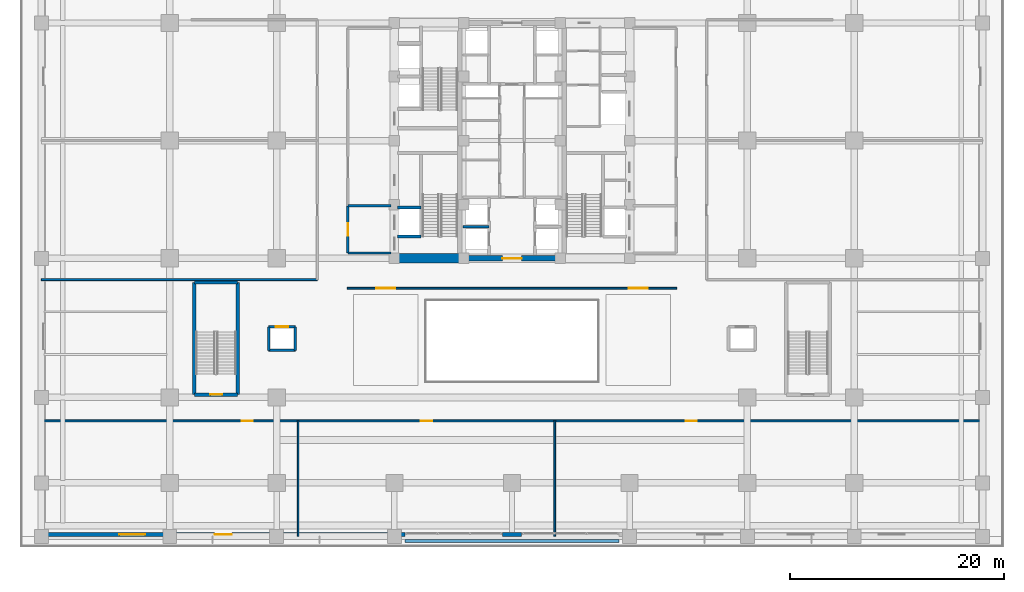
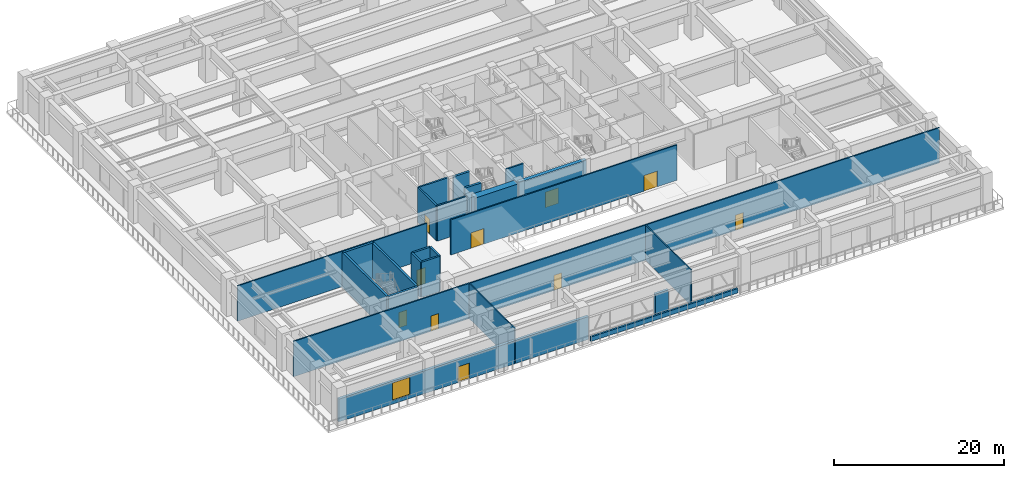
# One storey, part 15 of 28: 24 walls, 10 doors, 1 window, 11 openings.
"""IFC4 building model written with IfcOpenShell, lengths in metres."""

from ifc_helpers import new_model, si_unit, direction, frame, frame_2d, origin, place, context, subcontext, project, spatial, rectangle, extrude, source, transform, mapped, material, layer, layer_set, type_object, element, fill, save


model = new_model("IFC4")

# Units and contexts
model_context = context("Model", 3, precision=1e-05, world=origin(), true_north=direction((0.0, 1.0)))
body_context = subcontext(model_context, "Body", "Model", "MODEL_VIEW")
ifc_project = project(units=[si_unit("LENGTHUNIT", "METRE"), si_unit("AREAUNIT", "SQUARE_METRE"), si_unit("VOLUMEUNIT", "CUBIC_METRE"), si_unit("PLANEANGLEUNIT", "RADIAN"), si_unit("MASSUNIT", "GRAM", prefix="KILO")], contexts=[model_context])

# Site, building, storey
site_placement = place(None, origin())
site = spatial("IfcSite", under=ifc_project, at=site_placement, CompositionType="ELEMENT")
building_placement = place(site_placement, origin())
building = spatial("IfcBuilding", under=site, at=building_placement, Name="Khorayat Bourse Tower", CompositionType="ELEMENT")
storey_placement = place(building_placement, frame((0.0, 0.0, 6.60009765625)))
storey = spatial("IfcBuildingStorey", under=building, at=storey_placement, Name="L01", CompositionType="ELEMENT", Elevation=6.60009765625)

# Wall
ifc_material_1 = material(Name="Concrete C72/90", Category="concrete")
ifc_layer_1 = layer(ifc_material_1, 0.89990234375)
ifc_layer_set_1 = layer_set([ifc_layer_1], Name="Concrete C72/90")
wall_type_1 = type_object("IfcWallType", Name="WAL-CORE-900", PredefinedType="SHEAR", material=ifc_layer_set_1)
shared_shape_1 = source(origin(), body_context, "Body", "SweptSolid", [
    extrude(rectangle(XDim=5.849853515625, YDim=0.89990234375, at=frame_2d((2.9248046875, 0.0))), origin(), (0.0, 0.0, 1.0), 5.079833984375),
])
wall_1_placement = place(storey_placement, frame((-10.699951171875, -11.0, 0.0), z_axis=(0.0, 0.0, 1.0), x_axis=(1.0, 0.0, 0.0)))
element("IfcWall", 1, at=wall_1_placement, inside=storey, type_object=wall_type_1, Name="L01 Core Shear Wall PIER-WS", PredefinedType="SHEAR", context=body_context, shape_type="MappedRepresentation", body=[
    mapped(shared_shape_1, transform((0.0, 0.0, 0.0), scale=1.0)),
])

# Wall, opening, door
ifc_material_2 = material(Name="Concrete C52/65", Category="concrete")
ifc_layer_2 = layer(ifc_material_2, 0.5)
ifc_layer_set_2 = layer_set([ifc_layer_2], Name="Concrete C52/65")
wall_type_2 = type_object("IfcWallType", Name="WAL-CORE-500", PredefinedType="SHEAR", material=ifc_layer_set_2)
shared_shape_2 = source(origin(), body_context, "Body", "SweptSolid", [
    extrude(rectangle(XDim=9.2001953125, YDim=0.5, at=frame_2d((4.60009765625, 0.0))), origin(), (0.0, 0.0, 1.0), 5.079833984375),
])
wall_2_placement = place(storey_placement, frame((-4.60009765625, -11.0, 0.0), z_axis=(0.0, 0.0, 1.0), x_axis=(1.0, 0.0, 0.0)))
wall_2 = element("IfcWall", 2, at=wall_2_placement, inside=storey, type_object=wall_type_2, Name="L01 Core Shear Wall CORE-S", PredefinedType="SHEAR", context=body_context, shape_type="MappedRepresentation", body=[
    mapped(shared_shape_2, transform((0.0, 0.0, 0.0), scale=1.0)),
])
shared_shape_3 = source(origin(), body_context, "Body", "SweptSolid", [
    extrude(rectangle(XDim=1.800048828125, YDim=2.25, at=frame_2d((0.89990234375, 1.125))), frame((0.0, 0.260009765625, 0.0), z_axis=(0.0, -1.0, 0.0), x_axis=(1.0, 0.0, 0.0)), (0.0, 0.0, 1.0), 0.52001953125),
])
opening_1_placement = place(wall_2_placement, frame((3.699951171875, 0.0, 0.0)))
opening_1 = element("IfcOpeningElement", 3, at=opening_1_placement, cuts=wall_2, Name="Opening DI-03", PredefinedType="OPENING", context=body_context, shape_type="MappedRepresentation", body=[
    mapped(shared_shape_3, transform((0.0, 0.0, 0.0), scale=1.0)),
])
ifc_material_3 = material(Name="Fire-rated hardwood vision-panel double leaf", Category="wood")
door_type_1 = type_object("IfcDoorType", Name="DR-INT-CORR-1800", OperationType="NOTDEFINED", PredefinedType="DOOR", material=ifc_material_3)
shared_shape_4 = source(origin(), body_context, "Body", "SweptSolid", [
    extrude(rectangle(XDim=1.800048828125, YDim=2.25, at=frame_2d((0.89990234375, 1.125))), frame((0.0, 0.02490234375, 0.0), z_axis=(0.0, -1.0, 0.0), x_axis=(1.0, 0.0, 0.0)), (0.0, 0.0, 1.0), 0.050048828125),
])
door_1_placement = place(opening_1_placement, origin())
door_1 = element("IfcDoor", 4, at=door_1_placement, inside=storey, type_object=door_type_1, Name="L01 Low-Rise Lift Lobby Door", OperationType="SINGLE_SWING_LEFT", OverallHeight=2.25, OverallWidth=1.800048828125, PredefinedType="DOOR", context=body_context, shape_type="MappedRepresentation", body=[
    mapped(shared_shape_4, transform((0.0, 0.0, 0.0), scale=1.0)),
])
fill(opening_1, door_1)

# Wall, openings, door, window
ifc_material_4 = material(Name="Precast concrete C45/55", Category="concrete")
ifc_layer_3 = layer(ifc_material_4, 0.3798828125)
ifc_layer_set_3 = layer_set([ifc_layer_3], Name="Precast concrete C45/55")
wall_type_3 = type_object("IfcWallType", Name="WAL-EXT-STONE-380", PredefinedType="STANDARD", material=ifc_layer_set_3)
shared_shape_5 = source(origin(), body_context, "Body", "SweptSolid", [
    extrude(rectangle(XDim=34.0, YDim=0.3798828125, at=frame_2d((17.0, 0.0))), origin(), (0.0, 0.0, 1.0), 3.27978515625),
])
wall_3_placement = place(storey_placement, frame((-44.0, -36.81005859375, 0.0), z_axis=(0.0, 0.0, 1.0), x_axis=(1.0, 0.0, 0.0)))
wall_3 = element("IfcWall", 5, at=wall_3_placement, inside=storey, type_object=wall_type_3, Name="L01 Exterior Limestone Wall WAL-L01-EXT-SW", PredefinedType="STANDARD", context=body_context, shape_type="MappedRepresentation", body=[
    mapped(shared_shape_5, transform((0.0, 0.0, 0.0), scale=1.0)),
])
shared_shape_6 = source(origin(), body_context, "Body", "SweptSolid", [
    extrude(rectangle(XDim=1.60009765625, YDim=2.25, at=frame_2d((0.800048828125, 1.125))), frame((0.0, 0.199951171875, 0.0), z_axis=(0.0, -1.0, 0.0), x_axis=(1.0, 0.0, 0.0)), (0.0, 0.0, 1.0), 0.39990234375),
])
opening_2_placement = place(wall_3_placement, frame((16.199951171875, 0.0, 0.0)))
opening_2 = element("IfcOpeningElement", 6, at=opening_2_placement, cuts=wall_3, Name="Opening DE-04", PredefinedType="OPENING", context=body_context, shape_type="MappedRepresentation", body=[
    mapped(shared_shape_6, transform((0.0, 0.0, 0.0), scale=1.0)),
])
shared_shape_7 = source(origin(), body_context, "Body", "SweptSolid", [
    extrude(rectangle(XDim=2.39990234375, YDim=2.56005859375, at=frame_2d((1.199951171875, 1.280029296875))), frame((0.0, 0.199951171875, 0.0), z_axis=(0.0, -1.0, 0.0), x_axis=(1.0, 0.0, 0.0)), (0.0, 0.0, 1.0), 0.39990234375),
])
opening_3_placement = place(wall_3_placement, frame((7.300048828125, 0.0, 0.5)))
opening_3 = element("IfcOpeningElement", 7, at=opening_3_placement, cuts=wall_3, Name="Opening WN-01", PredefinedType="OPENING", context=body_context, shape_type="MappedRepresentation", body=[
    mapped(shared_shape_7, transform((0.0, 0.0, 0.0), scale=1.0)),
])
ifc_material_5 = material(Name="Thermally broken aluminium terrace double door", Category="aluminium")
door_type_2 = type_object("IfcDoorType", Name="DR-EXT-TERR-1600", OperationType="NOTDEFINED", PredefinedType="DOOR", material=ifc_material_5)
shared_shape_8 = source(origin(), body_context, "Body", "SweptSolid", [
    extrude(rectangle(XDim=1.60009765625, YDim=2.25, at=frame_2d((0.800048828125, 1.125))), frame((0.0, 0.02490234375, 0.0), z_axis=(0.0, -1.0, 0.0), x_axis=(1.0, 0.0, 0.0)), (0.0, 0.0, 1.0), 0.050048828125),
])
door_2_placement = place(opening_2_placement, origin())
door_2 = element("IfcDoor", 8, at=door_2_placement, inside=storey, type_object=door_type_2, Name="L01 South Garden Terrace Door", OperationType="DOUBLE_DOOR_SINGLE_SWING", OverallHeight=2.25, OverallWidth=1.60009765625, PredefinedType="DOOR", context=body_context, shape_type="MappedRepresentation", body=[
    mapped(shared_shape_8, transform((0.0, 0.0, 0.0), scale=1.0)),
])
fill(opening_2, door_2)
ifc_material_6 = material(Name="Low-E solar-control laminated double glazing", Category="glass")
window_type = type_object("IfcWindowType", Name="WIN-POD-2400x2600", PartitioningType="SINGLE_PANEL", PredefinedType="WINDOW", material=ifc_material_6)
shared_shape_9 = source(origin(), body_context, "Body", "SweptSolid", [
    extrude(rectangle(XDim=2.39990234375, YDim=2.56005859375, at=frame_2d((1.199951171875, 1.280029296875))), frame((0.0, 0.030029296875, 0.0), z_axis=(0.0, -1.0, 0.0), x_axis=(1.0, 0.0, 0.0)), (0.0, 0.0, 1.0), 0.06005859375),
])
window_placement = place(opening_3_placement, origin())
window = element("IfcWindow", 9, at=window_placement, inside=storey, type_object=window_type, Name="L01 Facade Window 1", OverallHeight=2.56005859375, OverallWidth=2.39990234375, PartitioningType="SINGLE_PANEL", PredefinedType="WINDOW", context=body_context, shape_type="MappedRepresentation", body=[
    mapped(shared_shape_9, transform((0.0, 0.0, 0.0), scale=1.0)),
])
fill(opening_3, window)

# Walls
shared_shape_10 = source(origin(), body_context, "Body", "SweptSolid", [
    extrude(rectangle(XDim=1.7998046875, YDim=0.3798828125, at=frame_2d((0.89990234375, 0.0))), origin(), (0.0, 0.0, 1.0), 3.27978515625),
])
wall_4_placement = place(storey_placement, frame((-0.89990234375, -36.81005859375, 0.0), z_axis=(0.0, 0.0, 1.0), x_axis=(1.0, 0.0, 0.0)))
element("IfcWall", 10, at=wall_4_placement, inside=storey, type_object=wall_type_3, Name="L01 Exterior Limestone Wall WAL-L01-EXT-SM", PredefinedType="STANDARD", context=body_context, shape_type="MappedRepresentation", body=[
    mapped(shared_shape_10, transform((0.0, 0.0, 0.0), scale=1.0)),
])
ifc_layer_4 = layer(ifc_material_4, 0.239990234375)
ifc_layer_set_4 = layer_set([ifc_layer_4], Name="Precast concrete C45/55")
wall_type_4 = type_object("IfcWallType", Name="WAL-PLANTER-240", PredefinedType="STANDARD", material=ifc_layer_set_4)
shared_shape_11 = source(origin(), body_context, "Body", "SweptSolid", [
    extrude(rectangle(XDim=20.0, YDim=0.239990234375, at=frame_2d((10.0, 0.0))), origin(), (0.0, 0.0, 1.0), 0.64990234375),
])
wall_5_placement = place(storey_placement, frame((-10.0, -37.429931640625, 0.0), z_axis=(0.0, 0.0, 1.0), x_axis=(1.0, 0.0, 0.0)))
element("IfcWall", 11, at=wall_5_placement, inside=storey, type_object=wall_type_4, Name="L01 Planted Terrace Upstand PLN-S", PredefinedType="STANDARD", context=body_context, shape_type="MappedRepresentation", body=[
    mapped(shared_shape_11, transform((0.0, 0.0, 0.0), scale=1.0)),
])
ifc_material_7 = material(Name="Concrete C50/60", Category="concrete")
ifc_layer_5 = layer(ifc_material_7, 0.300048828125)
ifc_layer_set_5 = layer_set([ifc_layer_5], Name="Concrete C50/60")
wall_type_5 = type_object("IfcWallType", Name="WAL-SHAFT-300", PredefinedType="SHEAR", material=ifc_layer_set_5)
shared_shape_12 = source(origin(), body_context, "Body", "SweptSolid", [
    extrude(rectangle(XDim=2.199951171875, YDim=0.300048828125, at=frame_2d((1.10009765625, 0.0))), origin(), (0.0, 0.0, 1.0), 5.079833984375),
])
for number, where, z_axis, x_axis, name in (
    (12, (-10.699951171875, -8.949951171875, 0.0), (0.0, 0.0, 1.0), (1.0, 0.0, 0.0), "L01 Partition WAL-L01-WPIER-FF1S"),
    (13, (-10.699951171875, -6.25, 0.0), (0.0, 0.0, 1.0), (1.0, 0.0, 0.0), "L01 Partition WAL-L01-WPIER-FF1N"),
):
    element("IfcWall", number, at=place(storey_placement, frame(where, z_axis=z_axis, x_axis=x_axis)), inside=storey, type_object=wall_type_5, Name=name, PredefinedType="SHEAR", context=body_context, shape_type="MappedRepresentation", body=[
        mapped(shared_shape_12, transform((0.0, 0.0, 0.0), scale=1.0)),
    ])
ifc_material_8 = material(Name="Aerated concrete blockwork", Category="masonry")
ifc_layer_6 = layer(ifc_material_8, 0.219970703125)
ifc_layer_set_6 = layer_set([ifc_layer_6], Name="Aerated concrete blockwork")
wall_type_6 = type_object("IfcWallType", Name="WAL-PART-FF-220", PredefinedType="PARTITIONING", material=ifc_layer_set_6)
shared_shape_13 = source(origin(), body_context, "Body", "SweptSolid", [
    extrude(rectangle(XDim=4.050048828125, YDim=0.219970703125, at=frame_2d((2.02490234375, 0.0))), origin(), (0.0, 0.0, 1.0), 5.079833984375),
])
for number, where, z_axis, x_axis, name in (
    (14, (-15.35009765625, -10.5, 0.0), (0.0, 0.0, 1.0), (1.0, 0.0, 0.0), "L01 Partition WAL-L01-FFLW-S"),
    (15, (-15.35009765625, -6.10009765625, 0.0), (0.0, 0.0, 1.0), (1.0, 0.0, 0.0), "L01 Partition WAL-L01-FFLW-N"),
):
    element("IfcWall", number, at=place(storey_placement, frame(where, z_axis=z_axis, x_axis=x_axis)), inside=storey, type_object=wall_type_6, Name=name, PredefinedType="PARTITIONING", context=body_context, shape_type="MappedRepresentation", body=[
        mapped(shared_shape_13, transform((0.0, 0.0, 0.0), scale=1.0)),
    ])

# Wall, opening, door
shared_shape_14 = source(origin(), body_context, "Body", "SweptSolid", [
    extrude(rectangle(XDim=4.39990234375, YDim=0.219970703125, at=frame_2d((2.199951171875, 0.0))), origin(), (0.0, 0.0, 1.0), 5.079833984375),
])
wall_6_placement = place(storey_placement, frame((-15.35009765625, -10.5, 0.0), z_axis=(0.0, 0.0, 1.0), x_axis=(0.0, 1.0, 0.0)))
wall_6 = element("IfcWall", 16, at=wall_6_placement, inside=storey, type_object=wall_type_6, Name="L01 Partition WAL-L01-FFLW-W", PredefinedType="PARTITIONING", context=body_context, shape_type="MappedRepresentation", body=[
    mapped(shared_shape_14, transform((0.0, 0.0, 0.0), scale=1.0)),
])
shared_shape_15 = source(origin(), body_context, "Body", "SweptSolid", [
    extrude(rectangle(XDim=1.199951171875, YDim=2.199951171875, at=frame_2d((0.60009765625, 1.10009765625))), frame((0.0, 0.119873046875, 0.0), z_axis=(0.0, -1.0, 0.0), x_axis=(1.0, 0.0, 0.0)), (0.0, 0.0, 1.0), 0.239990234375),
])
opening_4_placement = place(wall_6_placement, frame((1.60009765625, 0.0, 0.0)))
opening_4 = element("IfcOpeningElement", 17, at=opening_4_placement, cuts=wall_6, Name="Opening DI-02", PredefinedType="OPENING", context=body_context, shape_type="MappedRepresentation", body=[
    mapped(shared_shape_15, transform((0.0, 0.0, 0.0), scale=1.0)),
])
ifc_material_9 = material(Name="Fire-rated steel double-seal leaf", Category="steel")
door_type_3 = type_object("IfcDoorType", Name="DR-INT-FFLOBBY-1200", OperationType="NOTDEFINED", PredefinedType="DOOR", material=ifc_material_9)
shared_shape_16 = source(origin(), body_context, "Body", "SweptSolid", [
    extrude(rectangle(XDim=1.199951171875, YDim=2.199951171875, at=frame_2d((0.60009765625, 1.10009765625))), frame((0.0, 0.02490234375, 0.0), z_axis=(0.0, -1.0, 0.0), x_axis=(1.0, 0.0, 0.0)), (0.0, 0.0, 1.0), 0.050048828125),
])
door_3_placement = place(opening_4_placement, origin())
door_3 = element("IfcDoor", 18, at=door_3_placement, inside=storey, type_object=door_type_3, Name="L01 West Firefighting Lobby Door", OperationType="SINGLE_SWING_LEFT", OverallHeight=2.199951171875, OverallWidth=1.199951171875, PredefinedType="DOOR", context=body_context, shape_type="MappedRepresentation", body=[
    mapped(shared_shape_16, transform((0.0, 0.0, 0.0), scale=1.0)),
])
fill(opening_4, door_3)

# Wall
shared_shape_17 = source(origin(), body_context, "Body", "SweptSolid", [
    extrude(rectangle(XDim=2.4501953125, YDim=0.199951171875, at=frame_2d((1.22509765625, 0.0))), origin(), (0.0, 0.0, 1.0), 5.079833984375),
])
wall_7_placement = place(storey_placement, frame((-4.60009765625, -8.050048828125, 0.0), z_axis=(0.0, 0.0, 1.0), x_axis=(1.0, 0.0, 0.0)))
element("IfcWall", 19, at=wall_7_placement, inside=storey, type_object=wall_type_5, Name="L01 Partition WAL-L01-B1-MW", PredefinedType="SHEAR", context=body_context, shape_type="MappedRepresentation", body=[
    mapped(shared_shape_17, transform((0.0, 0.0, 0.0), scale=1.0)),
])

# Wall, opening, door
shared_shape_18 = source(origin(), body_context, "Body", "SweptSolid", [
    extrude(rectangle(XDim=4.050048828125, YDim=0.300048828125, at=frame_2d((2.02490234375, 0.0))), origin(), (0.0, 0.0, 1.0), 5.079833984375),
])
wall_8_placement = place(storey_placement, frame((-29.699951171875, -23.75, 0.0), z_axis=(0.0, 0.0, 1.0), x_axis=(1.0, 0.0, 0.0)))
wall_8 = element("IfcWall", 20, at=wall_8_placement, inside=storey, type_object=wall_type_5, Name="L01 Partition WAL-L01-STP1-S", PredefinedType="SHEAR", context=body_context, shape_type="MappedRepresentation", body=[
    mapped(shared_shape_18, transform((0.0, 0.0, 0.0), scale=1.0)),
])
shared_shape_19 = source(origin(), body_context, "Body", "SweptSolid", [
    extrude(rectangle(XDim=1.10009765625, YDim=2.199951171875, at=frame_2d((0.550048828125, 1.10009765625))), frame((0.0, 0.159912109375, 0.0), z_axis=(0.0, -1.0, 0.0), x_axis=(1.0, 0.0, 0.0)), (0.0, 0.0, 1.0), 0.320068359375),
])
opening_5_placement = place(wall_8_placement, frame((1.5, 0.0, 0.0)))
opening_5 = element("IfcOpeningElement", 21, at=opening_5_placement, cuts=wall_8, Name="Opening DI-01", PredefinedType="OPENING", context=body_context, shape_type="MappedRepresentation", body=[
    mapped(shared_shape_19, transform((0.0, 0.0, 0.0), scale=1.0)),
])
ifc_material_10 = material(Name="Fire-rated steel acoustic leaf", Category="steel")
door_type_4 = type_object("IfcDoorType", Name="DR-INT-STAIR-1100", OperationType="NOTDEFINED", PredefinedType="DOOR", material=ifc_material_10)
shared_shape_20 = source(origin(), body_context, "Body", "SweptSolid", [
    extrude(rectangle(XDim=1.10009765625, YDim=2.199951171875, at=frame_2d((0.550048828125, 1.10009765625))), frame((0.0, 0.02490234375, 0.0), z_axis=(0.0, -1.0, 0.0), x_axis=(1.0, 0.0, 0.0)), (0.0, 0.0, 1.0), 0.050048828125),
])
door_4_placement = place(opening_5_placement, origin())
door_4 = element("IfcDoor", 22, at=door_4_placement, inside=storey, type_object=door_type_4, Name="L01 Podium Stair P1 Door", OperationType="SINGLE_SWING_RIGHT", OverallHeight=2.199951171875, OverallWidth=1.10009765625, PredefinedType="DOOR", context=body_context, shape_type="MappedRepresentation", body=[
    mapped(shared_shape_20, transform((0.0, 0.0, 0.0), scale=1.0)),
])
fill(opening_5, door_4)

# Walls
wall_9_placement = place(storey_placement, frame((-29.699951171875, -13.25, 0.0), z_axis=(0.0, 0.0, 1.0), x_axis=(1.0, 0.0, 0.0)))
element("IfcWall", 23, at=wall_9_placement, inside=storey, type_object=wall_type_5, Name="L01 Partition WAL-L01-STP1-N", PredefinedType="SHEAR", context=body_context, shape_type="MappedRepresentation", body=[
    mapped(shared_shape_18, transform((0.0, 0.0, 0.0), scale=1.0)),
])
shared_shape_21 = source(origin(), body_context, "Body", "SweptSolid", [
    extrude(rectangle(XDim=10.5, YDim=0.300048828125, at=frame_2d((5.25, 0.0))), origin(), (0.0, 0.0, 1.0), 5.079833984375),
])
for number, where, z_axis, x_axis, name in (
    (24, (-29.699951171875, -23.75, 0.0), (0.0, 0.0, 1.0), (0.0, 1.0, 0.0), "L01 Partition WAL-L01-STP1-W"),
    (25, (-25.64990234375, -23.75, 0.0), (0.0, 0.0, 1.0), (0.0, 1.0, 0.0), "L01 Partition WAL-L01-STP1-E"),
):
    element("IfcWall", number, at=place(storey_placement, frame(where, z_axis=z_axis, x_axis=x_axis)), inside=storey, type_object=wall_type_5, Name=name, PredefinedType="SHEAR", context=body_context, shape_type="MappedRepresentation", body=[
        mapped(shared_shape_21, transform((0.0, 0.0, 0.0), scale=1.0)),
    ])
shared_shape_22 = source(origin(), body_context, "Body", "SweptSolid", [
    extrude(rectangle(XDim=2.5, YDim=0.25, at=frame_2d((1.25, 0.0))), origin(), (0.0, 0.0, 1.0), 5.079833984375),
])
wall_10_placement = place(storey_placement, frame((-22.75, -19.60009765625, 0.0), z_axis=(0.0, 0.0, 1.0), x_axis=(1.0, 0.0, 0.0)))
element("IfcWall", 26, at=wall_10_placement, inside=storey, type_object=wall_type_5, Name="L01 Partition WAL-L01-PLP1-S", PredefinedType="SHEAR", context=body_context, shape_type="MappedRepresentation", body=[
    mapped(shared_shape_22, transform((0.0, 0.0, 0.0), scale=1.0)),
])

# Wall, opening, door
wall_11_placement = place(storey_placement, frame((-22.75, -17.39990234375, 0.0), z_axis=(0.0, 0.0, 1.0), x_axis=(1.0, 0.0, 0.0)))
wall_11 = element("IfcWall", 27, at=wall_11_placement, inside=storey, type_object=wall_type_5, Name="L01 Partition WAL-L01-PLP1-N", PredefinedType="SHEAR", context=body_context, shape_type="MappedRepresentation", body=[
    mapped(shared_shape_22, transform((0.0, 0.0, 0.0), scale=1.0)),
])
shared_shape_23 = source(origin(), body_context, "Body", "SweptSolid", [
    extrude(rectangle(XDim=1.199951171875, YDim=2.300048828125, at=frame_2d((0.60009765625, 1.14990234375))), frame((0.0, 0.135009765625, 0.0), z_axis=(0.0, -1.0, 0.0), x_axis=(1.0, 0.0, 0.0)), (0.0, 0.0, 1.0), 0.27001953125),
])
opening_6_placement = place(wall_11_placement, frame((0.64990234375, 0.0, 0.0)))
opening_6 = element("IfcOpeningElement", 28, at=opening_6_placement, cuts=wall_11, Name="Opening LD-01", PredefinedType="OPENING", context=body_context, shape_type="MappedRepresentation", body=[
    mapped(shared_shape_23, transform((0.0, 0.0, 0.0), scale=1.0)),
])
ifc_material_11 = material(Name="Brushed bronze stainless-steel sliding door", Category="steel")
door_type_5 = type_object("IfcDoorType", Name="DR-LIFT-PASS-1200", OperationType="NOTDEFINED", PredefinedType="DOOR", material=ifc_material_11)
shared_shape_24 = source(origin(), body_context, "Body", "SweptSolid", [
    extrude(rectangle(XDim=1.199951171875, YDim=2.300048828125, at=frame_2d((0.60009765625, 1.14990234375))), frame((0.0, 0.02490234375, 0.0), z_axis=(0.0, -1.0, 0.0), x_axis=(1.0, 0.0, 0.0)), (0.0, 0.0, 1.0), 0.050048828125),
])
door_5_placement = place(opening_6_placement, origin())
door_5 = element("IfcDoor", 29, at=door_5_placement, inside=storey, type_object=door_type_5, Name="L01 Lift PL-P1 Sliding Landing Door", OperationType="SLIDING_TO_LEFT", OverallHeight=2.300048828125, OverallWidth=1.199951171875, PredefinedType="DOOR", context=body_context, shape_type="MappedRepresentation", body=[
    mapped(shared_shape_24, transform((0.0, 0.0, 0.0), scale=1.0)),
])
fill(opening_6, door_5)

# Walls
shared_shape_25 = source(origin(), body_context, "Body", "SweptSolid", [
    extrude(rectangle(XDim=2.2001953125, YDim=0.25, at=frame_2d((1.10009765625, 0.0))), origin(), (0.0, 0.0, 1.0), 5.079833984375),
])
for number, where, z_axis, x_axis, name in (
    (30, (-22.75, -19.60009765625, 0.0), (0.0, 0.0, 1.0), (0.0, 1.0, 0.0), "L01 Partition WAL-L01-PLP1-W"),
    (31, (-20.25, -19.60009765625, 0.0), (0.0, 0.0, 1.0), (0.0, 1.0, 0.0), "L01 Partition WAL-L01-PLP1-E"),
):
    element("IfcWall", number, at=place(storey_placement, frame(where, z_axis=z_axis, x_axis=x_axis)), inside=storey, type_object=wall_type_5, Name=name, PredefinedType="SHEAR", context=body_context, shape_type="MappedRepresentation", body=[
        mapped(shared_shape_25, transform((0.0, 0.0, 0.0), scale=1.0)),
    ])

# Wall, openings, doors
ifc_material_12 = material(Name="Gypsum plasterboard acoustic stud wall")
ifc_layer_7 = layer(ifc_material_12, 0.179931640625)
ifc_layer_set_7 = layer_set([ifc_layer_7], Name="Gypsum plasterboard acoustic stud wall")
wall_type_7 = type_object("IfcWallType", Name="WAL-PART-CORR-180", PredefinedType="PARTITIONING", material=ifc_layer_set_7)
shared_shape_26 = source(origin(), body_context, "Body", "SweptSolid", [
    extrude(rectangle(XDim=30.7998046875, YDim=0.179931640625, at=frame_2d((15.39990234375, 0.0))), origin(), (0.0, 0.0, 1.0), 5.079833984375),
])
wall_12_placement = place(storey_placement, frame((-15.39990234375, -13.800048828125, 0.0), z_axis=(0.0, 0.0, 1.0), x_axis=(1.0, 0.0, 0.0)))
wall_12 = element("IfcWall", 32, at=wall_12_placement, inside=storey, type_object=wall_type_7, Name="L01 Partition WAL-L01-HALL-N", PredefinedType="PARTITIONING", context=body_context, shape_type="MappedRepresentation", body=[
    mapped(shared_shape_26, transform((0.0, 0.0, 0.0), scale=1.0)),
])
shared_shape_27 = source(origin(), body_context, "Body", "SweptSolid", [
    extrude(rectangle(XDim=1.800048828125, YDim=2.25, at=frame_2d((0.89990234375, 1.125))), frame((0.0, 0.099853515625, 0.0), z_axis=(0.0, -1.0, 0.0), x_axis=(1.0, 0.0, 0.0)), (0.0, 0.0, 1.0), 0.199951171875),
])
opening_7_placement = place(wall_12_placement, frame((2.699951171875, 0.0, 0.0)))
opening_7 = element("IfcOpeningElement", 33, at=opening_7_placement, cuts=wall_12, Name="Opening DI-03", PredefinedType="OPENING", context=body_context, shape_type="MappedRepresentation", body=[
    mapped(shared_shape_27, transform((0.0, 0.0, 0.0), scale=1.0)),
])
opening_8_placement = place(wall_12_placement, frame((26.300048828125, 0.0, 0.0)))
opening_8 = element("IfcOpeningElement", 34, at=opening_8_placement, cuts=wall_12, Name="Opening DI-03", PredefinedType="OPENING", context=body_context, shape_type="MappedRepresentation", body=[
    mapped(shared_shape_27, transform((0.0, 0.0, 0.0), scale=1.0)),
])
door_6_placement = place(opening_7_placement, origin())
door_6 = element("IfcDoor", 35, at=door_6_placement, inside=storey, type_object=door_type_1, Name="L01 Stock Exchange Cash Equities Hall West Door", OperationType="SINGLE_SWING_LEFT", OverallHeight=2.25, OverallWidth=1.800048828125, PredefinedType="DOOR", context=body_context, shape_type="MappedRepresentation", body=[
    mapped(shared_shape_4, transform((0.0, 0.0, 0.0), scale=1.0)),
])
fill(opening_7, door_6)
door_7_placement = place(opening_8_placement, origin())
door_7 = element("IfcDoor", 36, at=door_7_placement, inside=storey, type_object=door_type_1, Name="L01 Stock Exchange Cash Equities Hall East Door", OperationType="SINGLE_SWING_RIGHT", OverallHeight=2.25, OverallWidth=1.800048828125, PredefinedType="DOOR", context=body_context, shape_type="MappedRepresentation", body=[
    mapped(shared_shape_4, transform((0.0, 0.0, 0.0), scale=1.0)),
])
fill(opening_8, door_7)

# Walls
ifc_material_13 = material(Name="Gypsum plasterboard twin-frame partition")
ifc_layer_8 = layer(ifc_material_13, 0.14990234375)
ifc_layer_set_8 = layer_set([ifc_layer_8], Name="Gypsum plasterboard twin-frame partition")
wall_type_8 = type_object("IfcWallType", Name="WAL-PART-SUITE-150", PredefinedType="PARTITIONING", material=ifc_layer_set_8)
shared_shape_28 = source(origin(), body_context, "Body", "SweptSolid", [
    extrude(rectangle(XDim=10.800048828125, YDim=0.14990234375, at=frame_2d((5.39990234375, 0.0))), origin(), (0.0, 0.0, 1.0), 5.079833984375),
])
for number, where, z_axis, x_axis, name in (
    (37, (-20.0, -37.0, 0.0), (0.0, 0.0, 1.0), (0.0, 1.0, 0.0), "L01 Partition WAL-L01-PS-DIV-1"),
    (38, (4.0, -37.0, 0.0), (0.0, 0.0, 1.0), (0.0, 1.0, 0.0), "L01 Partition WAL-L01-PS-DIV-2"),
):
    element("IfcWall", number, at=place(storey_placement, frame(where, z_axis=z_axis, x_axis=x_axis)), inside=storey, type_object=wall_type_8, Name=name, PredefinedType="PARTITIONING", context=body_context, shape_type="MappedRepresentation", body=[
        mapped(shared_shape_28, transform((0.0, 0.0, 0.0), scale=1.0)),
    ])

# Wall, openings, doors
shared_shape_29 = source(origin(), body_context, "Body", "SweptSolid", [
    extrude(rectangle(XDim=88.0, YDim=0.179931640625, at=frame_2d((44.0, 0.0))), origin(), (0.0, 0.0, 1.0), 5.079833984375),
])
wall_13_placement = place(storey_placement, frame((-44.0, -26.199951171875, 0.0), z_axis=(0.0, 0.0, 1.0), x_axis=(1.0, 0.0, 0.0)))
wall_13 = element("IfcWall", 39, at=wall_13_placement, inside=storey, type_object=wall_type_7, Name="L01 Partition WAL-L01-PCORRS-S", PredefinedType="PARTITIONING", context=body_context, shape_type="MappedRepresentation", body=[
    mapped(shared_shape_29, transform((0.0, 0.0, 0.0), scale=1.0)),
])
shared_shape_30 = source(origin(), body_context, "Body", "SweptSolid", [
    extrude(rectangle(XDim=1.050048828125, YDim=2.199951171875, at=frame_2d((0.52490234375, 1.10009765625))), frame((0.0, 0.099853515625, 0.0), z_axis=(0.0, -1.0, 0.0), x_axis=(1.0, 0.0, 0.0)), (0.0, 0.0, 1.0), 0.199951171875),
])
opening_9_placement = place(wall_13_placement, frame((18.72509765625, 0.0, 0.0)))
opening_9 = element("IfcOpeningElement", 40, at=opening_9_placement, cuts=wall_13, Name="Opening DI-04", PredefinedType="OPENING", context=body_context, shape_type="MappedRepresentation", body=[
    mapped(shared_shape_30, transform((0.0, 0.0, 0.0), scale=1.0)),
])
opening_10_placement = place(wall_13_placement, frame((35.47509765625, 0.0, 0.0)))
opening_10 = element("IfcOpeningElement", 41, at=opening_10_placement, cuts=wall_13, Name="Opening DI-04", PredefinedType="OPENING", context=body_context, shape_type="MappedRepresentation", body=[
    mapped(shared_shape_30, transform((0.0, 0.0, 0.0), scale=1.0)),
])
opening_11_placement = place(wall_13_placement, frame((60.22509765625, 0.0, 0.0)))
opening_11 = element("IfcOpeningElement", 42, at=opening_11_placement, cuts=wall_13, Name="Opening DI-04", PredefinedType="OPENING", context=body_context, shape_type="MappedRepresentation", body=[
    mapped(shared_shape_30, transform((0.0, 0.0, 0.0), scale=1.0)),
])
ifc_material_14 = material(Name="Fire-rated oak veneer suite entrance door")
door_type_6 = type_object("IfcDoorType", Name="DR-INT-SUITE-1050", OperationType="NOTDEFINED", PredefinedType="DOOR", material=ifc_material_14)
shared_shape_31 = source(origin(), body_context, "Body", "SweptSolid", [
    extrude(rectangle(XDim=1.050048828125, YDim=2.199951171875, at=frame_2d((0.52490234375, 1.10009765625))), frame((0.0, 0.02490234375, 0.0), z_axis=(0.0, -1.0, 0.0), x_axis=(1.0, 0.0, 0.0)), (0.0, 0.0, 1.0), 0.050048828125),
])
door_8_placement = place(opening_9_placement, origin())
door_8 = element("IfcDoor", 43, at=door_8_placement, inside=storey, type_object=door_type_6, Name="L01 Issuer Listing Lounge Door", OperationType="SINGLE_SWING_RIGHT", OverallHeight=2.199951171875, OverallWidth=1.050048828125, PredefinedType="DOOR", context=body_context, shape_type="MappedRepresentation", body=[
    mapped(shared_shape_31, transform((0.0, 0.0, 0.0), scale=1.0)),
])
fill(opening_9, door_8)
door_9_placement = place(opening_10_placement, origin())
door_9 = element("IfcDoor", 44, at=door_9_placement, inside=storey, type_object=door_type_6, Name="L01 Broadcast Media Studio Door", OperationType="SINGLE_SWING_LEFT", OverallHeight=2.199951171875, OverallWidth=1.050048828125, PredefinedType="DOOR", context=body_context, shape_type="MappedRepresentation", body=[
    mapped(shared_shape_31, transform((0.0, 0.0, 0.0), scale=1.0)),
])
fill(opening_10, door_9)
door_10_placement = place(opening_11_placement, origin())
door_10 = element("IfcDoor", 45, at=door_10_placement, inside=storey, type_object=door_type_6, Name="L01 Market Surveillance Office Door", OperationType="SINGLE_SWING_RIGHT", OverallHeight=2.199951171875, OverallWidth=1.050048828125, PredefinedType="DOOR", context=body_context, shape_type="MappedRepresentation", body=[
    mapped(shared_shape_31, transform((0.0, 0.0, 0.0), scale=1.0)),
])
fill(opening_11, door_10)

# Wall
shared_shape_32 = source(origin(), body_context, "Body", "SweptSolid", [
    extrude(rectangle(XDim=25.800048828125, YDim=0.179931640625, at=frame_2d((12.89990234375, 0.0))), origin(), (0.0, 0.0, 1.0), 5.079833984375),
])
wall_14_placement = place(storey_placement, frame((-44.0, -13.0, 0.0), z_axis=(0.0, 0.0, 1.0), x_axis=(1.0, 0.0, 0.0)))
element("IfcWall", 46, at=wall_14_placement, inside=storey, type_object=wall_type_7, Name="L01 Partition WAL-L01-PW-S", PredefinedType="PARTITIONING", context=body_context, shape_type="MappedRepresentation", body=[
    mapped(shared_shape_32, transform((0.0, 0.0, 0.0), scale=1.0)),
])

save(model, "model.ifc")
